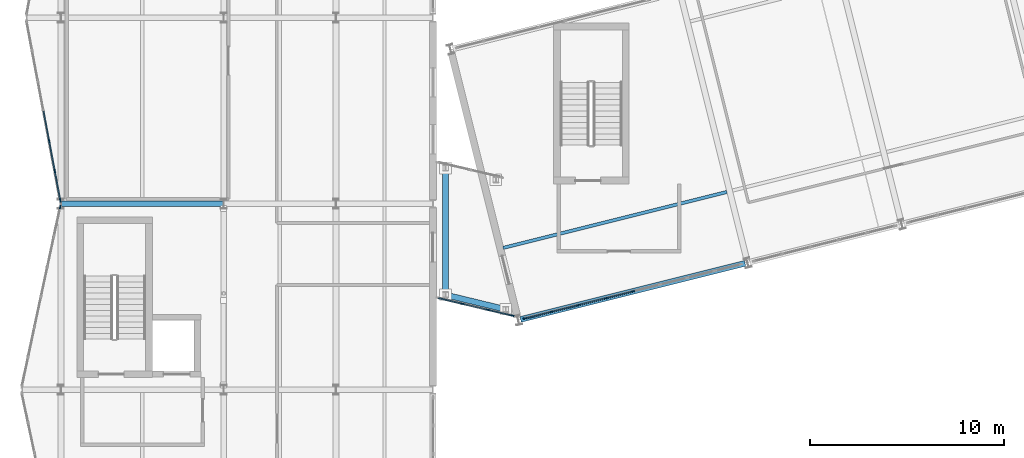
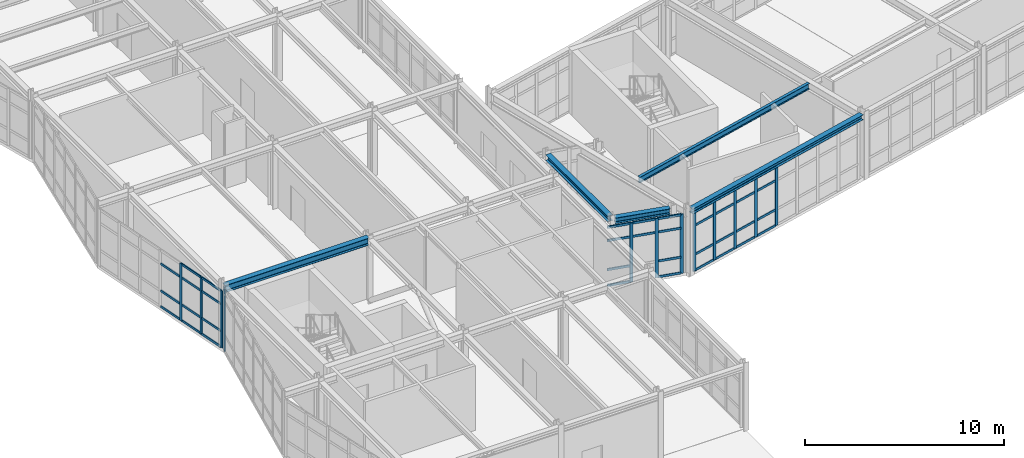
# One storey, part 16 of 88: 49 members, 5 beams, 4 elements without a shape of their own.
"""IFC4 building model written with IfcOpenShell, lengths in metres."""

from ifc_helpers import new_model, si_unit, direction, frame, origin, origin_2d, place, context, subcontext, project, spatial, rectangle, i_section, extrude, material, layer, layer_set, material_profile, profile_set, type_object, element, aggregate, save


model = new_model("IFC4")

# Units and contexts
model_context = context("Model", 3, precision=1e-05, world=origin(), true_north=direction((0.0, 1.0)))
body_context = subcontext(model_context, "Body", "Model", "MODEL_VIEW")
ifc_project = project(units=[si_unit("LENGTHUNIT", "METRE"), si_unit("AREAUNIT", "SQUARE_METRE"), si_unit("VOLUMEUNIT", "CUBIC_METRE"), si_unit("PLANEANGLEUNIT", "RADIAN"), si_unit("MASSUNIT", "GRAM", prefix="KILO")], contexts=[model_context])

# Site, building, storey
site_placement = place(None, origin())
site = spatial("IfcSite", under=ifc_project, at=site_placement, CompositionType="ELEMENT")
building_placement = place(site_placement, origin())
building = spatial("IfcBuilding", under=site, at=building_placement, Name="Nordkorset Police Headquarters", CompositionType="ELEMENT")
storey_placement = place(building_placement, frame((0.0, 0.0, 9.449951171875)))
storey = spatial("IfcBuildingStorey", under=building, at=storey_placement, Name="L02", CompositionType="ELEMENT", Elevation=9.449951171875)

# Beam
ifc_material_1 = material(Name="Steel S355J2", Category="steel")
ifc_material_profile_1 = material_profile(ifc_material_1, i_section(OverallWidth=0.169921875, OverallDepth=0.360107421875, WebThickness=0.008056640625, FlangeThickness=0.0126953125, FilletRadius=0.01806640625, at=origin_2d()), Name="IPE 360")
ifc_profile_set_1 = profile_set([ifc_material_profile_1], Name="Steel S355J2")
beam_type_1 = type_object("IfcBeamType", Name="Beam_IPE_360", PredefinedType="BEAM", material=ifc_profile_set_1)
beam_1_placement = place(storey_placement, frame((22.823974609375, 45.722900390625, 3.7900390625), z_axis=(0.970141293308, 0.242540452333, 0.0), x_axis=(-0.242540452333, 0.970141293308, 0.0)))
element("IfcBeam", 1, at=beam_1_placement, inside=storey, type_object=beam_type_1, Name="Splayed Wing Secondary Beam L02 0-1", PredefinedType="BEAM", context=body_context, shape_type="SweptSolid", body=[
    extrude(i_section(OverallWidth=0.169921875, OverallDepth=0.360107421875, WebThickness=0.008056640625, FlangeThickness=0.0126953125, FilletRadius=0.01806640625, at=origin_2d()), origin(), (0.0, 0.0, 1.0), 11.89990234375),
])

# Curtain wall, member
ifc_material_2 = material(Name="Aluminium alloy AW-6060", Category="aluminium")
ifc_layer_1 = layer(ifc_material_2, 0.179931640625, Name="Aluminium alloy AW-6060")
ifc_layer_set_1 = layer_set([ifc_layer_1], Name="Aluminium alloy AW-6060")
curtain_wall_type_1 = type_object("IfcCurtainWallType", Name="CW_Unit_954x392", PredefinedType="USERDEFINED", material=ifc_layer_set_1)
curtain_wall_1_placement = place(storey_placement, origin())
curtain_wall_1 = element("IfcCurtainWall", 2, at=curtain_wall_1_placement, inside=storey, type_object=curtain_wall_type_1, Name="Unitised Curtain Wall L02 V3W-1", ObjectType="UNITISED CURTAIN WALL", PredefinedType="USERDEFINED")
ifc_material_3 = material(Name="Aluminium alloy AW-6060", Category="aluminium")
ifc_material_profile_2 = material_profile(ifc_material_3, rectangle(XDim=0.06494140625, YDim=0.179931640625, at=origin_2d()), Name="ALU MULL 65x180")
ifc_profile_set_2 = profile_set([ifc_material_profile_2], Name="Aluminium alloy AW-6060")
member_type_1 = type_object("IfcMemberType", Name="CW_Mullion_65x180", PredefinedType="MULLION", material=ifc_profile_set_2)
member_1_placement = place(storey_placement, frame((-0.0361328125, 47.831298828125, 0.0), z_axis=(0.0, 0.0, 1.0), x_axis=(-0.977951416289, 0.208832534289, 0.0)))
member_1 = element("IfcMember", 3, at=member_1_placement, type_object=member_type_1, Name="CW-20 mullion 7", PredefinedType="MULLION", context=body_context, shape_type="SweptSolid", body=[
    extrude(rectangle(XDim=0.06494140625, YDim=0.179931640625, at=origin_2d()), origin(), (0.0, 0.0, 1.0), 3.920166015625),
])
aggregate(curtain_wall_1, [member_1])

# Curtain wall, members
ifc_material_4 = material(Name="Aluminium alloy AW-6060", Category="aluminium")
ifc_layer_2 = layer(ifc_material_4, 0.179931640625, Name="Aluminium alloy AW-6060")
ifc_layer_set_2 = layer_set([ifc_layer_2], Name="Aluminium alloy AW-6060")
curtain_wall_type_2 = type_object("IfcCurtainWallType", Name="CW_Unit_949x351", PredefinedType="USERDEFINED", material=ifc_layer_set_2)
curtain_wall_2_placement = place(storey_placement, origin())
curtain_wall_2 = element("IfcCurtainWall", 4, at=curtain_wall_2_placement, inside=storey, type_object=curtain_wall_type_2, Name="Unitised Curtain Wall L02 V3W-2", ObjectType="UNITISED CURTAIN WALL", PredefinedType="USERDEFINED")
member_2_placement = place(storey_placement, frame((-0.03173828125, 48.16943359375, 0.0), z_axis=(0.0, 0.0, 1.0), x_axis=(-0.982872186935, -0.184288535048, 0.0)))
member_2 = element("IfcMember", 5, at=member_2_placement, type_object=member_type_1, Name="CW-32 mullion 1", PredefinedType="MULLION", context=body_context, shape_type="SweptSolid", body=[
    extrude(rectangle(XDim=0.06494140625, YDim=0.179931640625, at=origin_2d()), origin(), (0.0, 0.0, 1.0), 3.510009765625),
])
member_3_placement = place(storey_placement, frame((-0.317138671875, 49.691650390625, 0.0), z_axis=(0.0, 0.0, 1.0), x_axis=(-0.982872186935, -0.184288535048, 0.0)))
member_3 = element("IfcMember", 6, at=member_3_placement, type_object=member_type_1, Name="CW-32 mullion 2", PredefinedType="MULLION", context=body_context, shape_type="SweptSolid", body=[
    extrude(rectangle(XDim=0.06494140625, YDim=0.179931640625, at=origin_2d()), origin(), (0.0, 0.0, 1.0), 3.510009765625),
])
member_4_placement = place(storey_placement, frame((-0.608642578125, 51.245849609375, 0.0), z_axis=(0.0, 0.0, 1.0), x_axis=(-0.982872186935, -0.184288535048, 0.0)))
member_4 = element("IfcMember", 7, at=member_4_placement, type_object=member_type_1, Name="CW-32 mullion 3", PredefinedType="MULLION", context=body_context, shape_type="SweptSolid", body=[
    extrude(rectangle(XDim=0.06494140625, YDim=0.179931640625, at=origin_2d()), origin(), (0.0, 0.0, 1.0), 3.510009765625),
])

ifc_material_5 = material(Name="Aluminium alloy AW-6060", Category="aluminium")
ifc_layer_3 = layer(ifc_material_5, 0.179931640625, Name="Aluminium alloy AW-6060")
ifc_layer_set_3 = layer_set([ifc_layer_3], Name="Aluminium alloy AW-6060")
curtain_wall_type_3 = type_object("IfcCurtainWallType", Name="CW_Unit_1156x364", PredefinedType="USERDEFINED", material=ifc_layer_set_3)
curtain_wall_3_placement = place(storey_placement, origin())
curtain_wall_3 = element("IfcCurtainWall", 8, at=curtain_wall_3_placement, inside=storey, type_object=curtain_wall_type_3, Name="Unitised Curtain Wall L02 V4S-0", ObjectType="UNITISED CURTAIN WALL", PredefinedType="USERDEFINED")
member_5_placement = place(storey_placement, frame((23.94189453125, 42.08544921875, 0.0), z_axis=(0.0, 0.0, 1.0), x_axis=(-0.242535625038, 0.970142500145, 0.0)))
member_5 = element("IfcMember", 9, at=member_5_placement, type_object=member_type_1, Name="CW-103 mullion 1", PredefinedType="MULLION", context=body_context, shape_type="SweptSolid", body=[
    extrude(rectangle(XDim=0.06494140625, YDim=0.179931640625, at=origin_2d()), origin(), (0.0, 0.0, 1.0), 3.64013671875),
])
member_6_placement = place(storey_placement, frame((25.312255859375, 42.427978515625, 0.0), z_axis=(0.0, 0.0, 1.0), x_axis=(-0.242535625038, 0.970142500145, 0.0)))
member_6 = element("IfcMember", 10, at=member_6_placement, type_object=member_type_1, Name="CW-103 mullion 2", PredefinedType="MULLION", context=body_context, shape_type="SweptSolid", body=[
    extrude(rectangle(XDim=0.06494140625, YDim=0.179931640625, at=origin_2d()), origin(), (0.0, 0.0, 1.0), 3.64013671875),
])
member_7_placement = place(storey_placement, frame((26.714111328125, 42.778564453125, 0.0), z_axis=(0.0, 0.0, 1.0), x_axis=(-0.242535625038, 0.970142500145, 0.0)))
member_7 = element("IfcMember", 11, at=member_7_placement, type_object=member_type_1, Name="CW-103 mullion 3", PredefinedType="MULLION", context=body_context, shape_type="SweptSolid", body=[
    extrude(rectangle(XDim=0.06494140625, YDim=0.179931640625, at=origin_2d()), origin(), (0.0, 0.0, 1.0), 3.64013671875),
])
member_8_placement = place(storey_placement, frame((28.115966796875, 43.12890625, 0.0), z_axis=(0.0, 0.0, 1.0), x_axis=(-0.242535625038, 0.970142500145, 0.0)))
member_8 = element("IfcMember", 12, at=member_8_placement, type_object=member_type_1, Name="CW-103 mullion 4", PredefinedType="MULLION", context=body_context, shape_type="SweptSolid", body=[
    extrude(rectangle(XDim=0.06494140625, YDim=0.179931640625, at=origin_2d()), origin(), (0.0, 0.0, 1.0), 3.64013671875),
])
member_9_placement = place(storey_placement, frame((29.517822265625, 43.4794921875, 0.0), z_axis=(0.0, 0.0, 1.0), x_axis=(-0.242535625038, 0.970142500145, 0.0)))
member_9 = element("IfcMember", 13, at=member_9_placement, type_object=member_type_1, Name="CW-103 mullion 5", PredefinedType="MULLION", context=body_context, shape_type="SweptSolid", body=[
    extrude(rectangle(XDim=0.06494140625, YDim=0.179931640625, at=origin_2d()), origin(), (0.0, 0.0, 1.0), 3.64013671875),
])

ifc_material_6 = material(Name="Aluminium alloy AW-6060", Category="aluminium")
ifc_layer_4 = layer(ifc_material_6, 0.179931640625, Name="Aluminium alloy AW-6060")
ifc_layer_set_4 = layer_set([ifc_layer_4], Name="Aluminium alloy AW-6060")
curtain_wall_type_4 = type_object("IfcCurtainWallType", Name="CW_Unit_401x364", PredefinedType="USERDEFINED", material=ifc_layer_set_4)
curtain_wall_4_placement = place(storey_placement, origin())
curtain_wall_4 = element("IfcCurtainWall", 14, at=curtain_wall_4_placement, inside=storey, type_object=curtain_wall_type_4, Name="Unitised Curtain Wall L02 BRGW-S", ObjectType="UNITISED CURTAIN WALL", PredefinedType="USERDEFINED")
member_10_placement = place(storey_placement, frame((20.72509765625, 42.83935546875, 0.0), z_axis=(0.0, 0.0, 1.0), x_axis=(0.231206329825, 0.972904739966, 0.0)))
member_10 = element("IfcMember", 15, at=member_10_placement, type_object=member_type_1, Name="CW-14 mullion 2", PredefinedType="MULLION", context=body_context, shape_type="SweptSolid", body=[
    extrude(rectangle(XDim=0.06494140625, YDim=0.179931640625, at=origin_2d()), origin(), (0.0, 0.0, 1.0), 3.635009765625),
])
member_11_placement = place(storey_placement, frame((22.02490234375, 42.530517578125, 0.0), z_axis=(0.0, 0.0, 1.0), x_axis=(0.231206329825, 0.972904739966, 0.0)))
member_11 = element("IfcMember", 16, at=member_11_placement, type_object=member_type_1, Name="CW-14 mullion 3", PredefinedType="MULLION", context=body_context, shape_type="SweptSolid", body=[
    extrude(rectangle(XDim=0.06494140625, YDim=0.179931640625, at=origin_2d()), origin(), (0.0, 0.0, 1.0), 3.635009765625),
])
member_12_placement = place(storey_placement, frame((23.293212890625, 42.229248046875, 0.0), z_axis=(0.0, 0.0, 1.0), x_axis=(0.231206329825, 0.972904739966, 0.0)))
member_12 = element("IfcMember", 17, at=member_12_placement, type_object=member_type_1, Name="CW-14 mullion 4", PredefinedType="MULLION", context=body_context, shape_type="SweptSolid", body=[
    extrude(rectangle(XDim=0.06494140625, YDim=0.179931640625, at=origin_2d()), origin(), (0.0, 0.0, 1.0), 3.635009765625),
])

# Member
ifc_material_7 = material(Name="Aluminium alloy AW-6060", Category="aluminium")
ifc_material_profile_3 = material_profile(ifc_material_7, rectangle(XDim=0.06494140625, YDim=0.139892578125, at=origin_2d()), Name="ALU TRAN 65x140")
ifc_profile_set_3 = profile_set([ifc_material_profile_3], Name="Aluminium alloy AW-6060")
member_type_2 = type_object("IfcMemberType", Name="CW_Transom_65x140", PredefinedType="USERDEFINED", material=ifc_profile_set_3)
member_13_placement = place(storey_placement, frame((-0.037841796875, 48.201416015625, 0.032470703125), z_axis=(-0.184298470268, 0.982870324029, 0.0), x_axis=(-0.982870324029, -0.184298470268, 0.0)))
member_13 = element("IfcMember", 18, at=member_13_placement, type_object=member_type_2, Name="CW-32 transom 1.1", ObjectType="TRANSOM", PredefinedType="USERDEFINED", context=body_context, shape_type="SweptSolid", body=[
    extrude(rectangle(XDim=0.06494140625, YDim=0.139892578125, at=origin_2d()), origin(), (0.0, 0.0, 1.0), 1.483642578125),
])

member_14_placement = place(storey_placement, frame((-0.037841796875, 48.201416015625, 1.0), z_axis=(-0.184298470268, 0.982870324029, 0.0), x_axis=(-0.982870324029, -0.184298470268, 0.0)))
member_14 = element("IfcMember", 19, at=member_14_placement, type_object=member_type_2, Name="CW-32 transom 1.2", ObjectType="TRANSOM", PredefinedType="USERDEFINED", context=body_context, shape_type="SweptSolid", body=[
    extrude(rectangle(XDim=0.06494140625, YDim=0.139892578125, at=origin_2d()), origin(), (0.0, 0.0, 1.0), 1.483642578125),
])

member_15_placement = place(storey_placement, frame((-0.037841796875, 48.201416015625, 2.66015625), z_axis=(-0.184298470268, 0.982870324029, 0.0), x_axis=(-0.982870324029, -0.184298470268, 0.0)))
member_15 = element("IfcMember", 20, at=member_15_placement, type_object=member_type_2, Name="CW-32 transom 1.3", ObjectType="TRANSOM", PredefinedType="USERDEFINED", context=body_context, shape_type="SweptSolid", body=[
    extrude(rectangle(XDim=0.06494140625, YDim=0.139892578125, at=origin_2d()), origin(), (0.0, 0.0, 1.0), 1.483642578125),
])

member_16_placement = place(storey_placement, frame((-0.037841796875, 48.201416015625, 3.4775390625), z_axis=(-0.184298470268, 0.982870324029, 0.0), x_axis=(-0.982870324029, -0.184298470268, 0.0)))
member_16 = element("IfcMember", 21, at=member_16_placement, type_object=member_type_2, Name="CW-32 transom 1.4", ObjectType="TRANSOM", PredefinedType="USERDEFINED", context=body_context, shape_type="SweptSolid", body=[
    extrude(rectangle(XDim=0.06494140625, YDim=0.139892578125, at=origin_2d()), origin(), (0.0, 0.0, 1.0), 1.483642578125),
])

member_17_placement = place(storey_placement, frame((-0.3232421875, 49.7236328125, 0.032470703125), z_axis=(-0.184210757138, 0.982886767107, 0.0), x_axis=(-0.982886767107, -0.184210757138, 0.0)))
member_17 = element("IfcMember", 22, at=member_17_placement, type_object=member_type_2, Name="CW-32 transom 2.1", ObjectType="TRANSOM", PredefinedType="USERDEFINED", context=body_context, shape_type="SweptSolid", body=[
    extrude(rectangle(XDim=0.06494140625, YDim=0.139892578125, at=origin_2d()), origin(), (0.0, 0.0, 1.0), 1.51611328125),
])

member_18_placement = place(storey_placement, frame((-0.3232421875, 49.7236328125, 1.0), z_axis=(-0.184210757138, 0.982886767107, 0.0), x_axis=(-0.982886767107, -0.184210757138, 0.0)))
member_18 = element("IfcMember", 23, at=member_18_placement, type_object=member_type_2, Name="CW-32 transom 2.2", ObjectType="TRANSOM", PredefinedType="USERDEFINED", context=body_context, shape_type="SweptSolid", body=[
    extrude(rectangle(XDim=0.06494140625, YDim=0.139892578125, at=origin_2d()), origin(), (0.0, 0.0, 1.0), 1.51611328125),
])

member_19_placement = place(storey_placement, frame((-0.3232421875, 49.7236328125, 2.66015625), z_axis=(-0.184210757138, 0.982886767107, 0.0), x_axis=(-0.982886767107, -0.184210757138, 0.0)))
member_19 = element("IfcMember", 24, at=member_19_placement, type_object=member_type_2, Name="CW-32 transom 2.3", ObjectType="TRANSOM", PredefinedType="USERDEFINED", context=body_context, shape_type="SweptSolid", body=[
    extrude(rectangle(XDim=0.06494140625, YDim=0.139892578125, at=origin_2d()), origin(), (0.0, 0.0, 1.0), 1.51611328125),
])

member_20_placement = place(storey_placement, frame((-0.3232421875, 49.7236328125, 3.4775390625), z_axis=(-0.184210757138, 0.982886767107, 0.0), x_axis=(-0.982886767107, -0.184210757138, 0.0)))
member_20 = element("IfcMember", 25, at=member_20_placement, type_object=member_type_2, Name="CW-32 transom 2.4", ObjectType="TRANSOM", PredefinedType="USERDEFINED", context=body_context, shape_type="SweptSolid", body=[
    extrude(rectangle(XDim=0.06494140625, YDim=0.139892578125, at=origin_2d()), origin(), (0.0, 0.0, 1.0), 1.51611328125),
])

member_21_placement = place(storey_placement, frame((-0.614501953125, 51.27783203125, 0.032470703125), z_axis=(-0.1843663095, 0.98285760104, 0.0), x_axis=(-0.98285760104, -0.1843663095, 0.0)))
member_21 = element("IfcMember", 26, at=member_21_placement, type_object=member_type_2, Name="CW-32 transom 3.1", ObjectType="TRANSOM", PredefinedType="USERDEFINED", context=body_context, shape_type="SweptSolid", body=[
    extrude(rectangle(XDim=0.06494140625, YDim=0.139892578125, at=origin_2d()), origin(), (0.0, 0.0, 1.0), 1.51611328125),
])

member_22_placement = place(storey_placement, frame((-0.614501953125, 51.27783203125, 1.0), z_axis=(-0.1843663095, 0.98285760104, 0.0), x_axis=(-0.98285760104, -0.1843663095, 0.0)))
member_22 = element("IfcMember", 27, at=member_22_placement, type_object=member_type_2, Name="CW-32 transom 3.2", ObjectType="TRANSOM", PredefinedType="USERDEFINED", context=body_context, shape_type="SweptSolid", body=[
    extrude(rectangle(XDim=0.06494140625, YDim=0.139892578125, at=origin_2d()), origin(), (0.0, 0.0, 1.0), 1.51611328125),
])

member_23_placement = place(storey_placement, frame((-0.614501953125, 51.27783203125, 2.66015625), z_axis=(-0.1843663095, 0.98285760104, 0.0), x_axis=(-0.98285760104, -0.1843663095, 0.0)))
member_23 = element("IfcMember", 28, at=member_23_placement, type_object=member_type_2, Name="CW-32 transom 3.3", ObjectType="TRANSOM", PredefinedType="USERDEFINED", context=body_context, shape_type="SweptSolid", body=[
    extrude(rectangle(XDim=0.06494140625, YDim=0.139892578125, at=origin_2d()), origin(), (0.0, 0.0, 1.0), 1.51611328125),
])

aggregate(curtain_wall_2, [member_2, member_3, member_4, member_13, member_14, member_15, member_16, member_17, member_18, member_19, member_20, member_21, member_22, member_23])

member_24_placement = place(storey_placement, frame((23.973388671875, 42.09326171875, 0.032470703125), z_axis=(0.970131842518, 0.242578251565, 0.0), x_axis=(-0.242578251565, 0.970131842518, 0.0)))
member_24 = element("IfcMember", 29, at=member_24_placement, type_object=member_type_2, Name="CW-103 transom 1.1", ObjectType="TRANSOM", PredefinedType="USERDEFINED", context=body_context, shape_type="SweptSolid", body=[
    extrude(rectangle(XDim=0.06494140625, YDim=0.139892578125, at=origin_2d()), origin(), (0.0, 0.0, 1.0), 1.34765625),
])

member_25_placement = place(storey_placement, frame((23.973388671875, 42.09326171875, 1.0), z_axis=(0.970131842518, 0.242578251565, 0.0), x_axis=(-0.242578251565, 0.970131842518, 0.0)))
member_25 = element("IfcMember", 30, at=member_25_placement, type_object=member_type_2, Name="CW-103 transom 1.2", ObjectType="TRANSOM", PredefinedType="USERDEFINED", context=body_context, shape_type="SweptSolid", body=[
    extrude(rectangle(XDim=0.06494140625, YDim=0.139892578125, at=origin_2d()), origin(), (0.0, 0.0, 1.0), 1.34765625),
])

member_26_placement = place(storey_placement, frame((23.973388671875, 42.09326171875, 2.7900390625), z_axis=(0.970131842518, 0.242578251565, 0.0), x_axis=(-0.242578251565, 0.970131842518, 0.0)))
member_26 = element("IfcMember", 31, at=member_26_placement, type_object=member_type_2, Name="CW-103 transom 1.3", ObjectType="TRANSOM", PredefinedType="USERDEFINED", context=body_context, shape_type="SweptSolid", body=[
    extrude(rectangle(XDim=0.06494140625, YDim=0.139892578125, at=origin_2d()), origin(), (0.0, 0.0, 1.0), 1.34765625),
])

member_27_placement = place(storey_placement, frame((23.973388671875, 42.09326171875, 3.607666015625), z_axis=(0.970131842518, 0.242578251565, 0.0), x_axis=(-0.242578251565, 0.970131842518, 0.0)))
member_27 = element("IfcMember", 32, at=member_27_placement, type_object=member_type_2, Name="CW-103 transom 1.4", ObjectType="TRANSOM", PredefinedType="USERDEFINED", context=body_context, shape_type="SweptSolid", body=[
    extrude(rectangle(XDim=0.06494140625, YDim=0.139892578125, at=origin_2d()), origin(), (0.0, 0.0, 1.0), 1.34765625),
])

member_28_placement = place(storey_placement, frame((25.34375, 42.43603515625, 0.032470703125), z_axis=(0.970142500145, 0.242535625036, 0.0), x_axis=(-0.242535625036, 0.970142500145, 0.0)))
member_28 = element("IfcMember", 33, at=member_28_placement, type_object=member_type_2, Name="CW-103 transom 2.1", ObjectType="TRANSOM", PredefinedType="USERDEFINED", context=body_context, shape_type="SweptSolid", body=[
    extrude(rectangle(XDim=0.06494140625, YDim=0.139892578125, at=origin_2d()), origin(), (0.0, 0.0, 1.0), 1.380126953125),
])

member_29_placement = place(storey_placement, frame((25.34375, 42.43603515625, 1.0), z_axis=(0.970142500145, 0.242535625036, 0.0), x_axis=(-0.242535625036, 0.970142500145, 0.0)))
member_29 = element("IfcMember", 34, at=member_29_placement, type_object=member_type_2, Name="CW-103 transom 2.2", ObjectType="TRANSOM", PredefinedType="USERDEFINED", context=body_context, shape_type="SweptSolid", body=[
    extrude(rectangle(XDim=0.06494140625, YDim=0.139892578125, at=origin_2d()), origin(), (0.0, 0.0, 1.0), 1.380126953125),
])

member_30_placement = place(storey_placement, frame((25.34375, 42.43603515625, 2.7900390625), z_axis=(0.970142500145, 0.242535625036, 0.0), x_axis=(-0.242535625036, 0.970142500145, 0.0)))
member_30 = element("IfcMember", 35, at=member_30_placement, type_object=member_type_2, Name="CW-103 transom 2.3", ObjectType="TRANSOM", PredefinedType="USERDEFINED", context=body_context, shape_type="SweptSolid", body=[
    extrude(rectangle(XDim=0.06494140625, YDim=0.139892578125, at=origin_2d()), origin(), (0.0, 0.0, 1.0), 1.380126953125),
])

member_31_placement = place(storey_placement, frame((25.34375, 42.43603515625, 3.607666015625), z_axis=(0.970142500145, 0.242535625036, 0.0), x_axis=(-0.242535625036, 0.970142500145, 0.0)))
member_31 = element("IfcMember", 36, at=member_31_placement, type_object=member_type_2, Name="CW-103 transom 2.4", ObjectType="TRANSOM", PredefinedType="USERDEFINED", context=body_context, shape_type="SweptSolid", body=[
    extrude(rectangle(XDim=0.06494140625, YDim=0.139892578125, at=origin_2d()), origin(), (0.0, 0.0, 1.0), 1.380126953125),
])

member_32_placement = place(storey_placement, frame((26.74560546875, 42.786376953125, 0.032470703125), z_axis=(0.970142500145, 0.242535625036, 0.0), x_axis=(-0.242535625036, 0.970142500145, 0.0)))
member_32 = element("IfcMember", 37, at=member_32_placement, type_object=member_type_2, Name="CW-103 transom 3.1", ObjectType="TRANSOM", PredefinedType="USERDEFINED", context=body_context, shape_type="SweptSolid", body=[
    extrude(rectangle(XDim=0.06494140625, YDim=0.139892578125, at=origin_2d()), origin(), (0.0, 0.0, 1.0), 1.380126953125),
])

member_33_placement = place(storey_placement, frame((26.74560546875, 42.786376953125, 1.0), z_axis=(0.970142500145, 0.242535625036, 0.0), x_axis=(-0.242535625036, 0.970142500145, 0.0)))
member_33 = element("IfcMember", 38, at=member_33_placement, type_object=member_type_2, Name="CW-103 transom 3.2", ObjectType="TRANSOM", PredefinedType="USERDEFINED", context=body_context, shape_type="SweptSolid", body=[
    extrude(rectangle(XDim=0.06494140625, YDim=0.139892578125, at=origin_2d()), origin(), (0.0, 0.0, 1.0), 1.380126953125),
])

member_34_placement = place(storey_placement, frame((26.74560546875, 42.786376953125, 2.7900390625), z_axis=(0.970142500145, 0.242535625036, 0.0), x_axis=(-0.242535625036, 0.970142500145, 0.0)))
member_34 = element("IfcMember", 39, at=member_34_placement, type_object=member_type_2, Name="CW-103 transom 3.3", ObjectType="TRANSOM", PredefinedType="USERDEFINED", context=body_context, shape_type="SweptSolid", body=[
    extrude(rectangle(XDim=0.06494140625, YDim=0.139892578125, at=origin_2d()), origin(), (0.0, 0.0, 1.0), 1.380126953125),
])

member_35_placement = place(storey_placement, frame((26.74560546875, 42.786376953125, 3.607666015625), z_axis=(0.970142500145, 0.242535625036, 0.0), x_axis=(-0.242535625036, 0.970142500145, 0.0)))
member_35 = element("IfcMember", 40, at=member_35_placement, type_object=member_type_2, Name="CW-103 transom 3.4", ObjectType="TRANSOM", PredefinedType="USERDEFINED", context=body_context, shape_type="SweptSolid", body=[
    extrude(rectangle(XDim=0.06494140625, YDim=0.139892578125, at=origin_2d()), origin(), (0.0, 0.0, 1.0), 1.380126953125),
])

member_36_placement = place(storey_placement, frame((28.1474609375, 43.136962890625, 0.032470703125), z_axis=(0.970142500145, 0.242535625036, 0.0), x_axis=(-0.242535625036, 0.970142500145, 0.0)))
member_36 = element("IfcMember", 41, at=member_36_placement, type_object=member_type_2, Name="CW-103 transom 4.1", ObjectType="TRANSOM", PredefinedType="USERDEFINED", context=body_context, shape_type="SweptSolid", body=[
    extrude(rectangle(XDim=0.06494140625, YDim=0.139892578125, at=origin_2d()), origin(), (0.0, 0.0, 1.0), 1.380126953125),
])

member_37_placement = place(storey_placement, frame((28.1474609375, 43.136962890625, 1.0), z_axis=(0.970142500145, 0.242535625036, 0.0), x_axis=(-0.242535625036, 0.970142500145, 0.0)))
member_37 = element("IfcMember", 42, at=member_37_placement, type_object=member_type_2, Name="CW-103 transom 4.2", ObjectType="TRANSOM", PredefinedType="USERDEFINED", context=body_context, shape_type="SweptSolid", body=[
    extrude(rectangle(XDim=0.06494140625, YDim=0.139892578125, at=origin_2d()), origin(), (0.0, 0.0, 1.0), 1.380126953125),
])

member_38_placement = place(storey_placement, frame((28.1474609375, 43.136962890625, 2.7900390625), z_axis=(0.970142500145, 0.242535625036, 0.0), x_axis=(-0.242535625036, 0.970142500145, 0.0)))
member_38 = element("IfcMember", 43, at=member_38_placement, type_object=member_type_2, Name="CW-103 transom 4.3", ObjectType="TRANSOM", PredefinedType="USERDEFINED", context=body_context, shape_type="SweptSolid", body=[
    extrude(rectangle(XDim=0.06494140625, YDim=0.139892578125, at=origin_2d()), origin(), (0.0, 0.0, 1.0), 1.380126953125),
])

member_39_placement = place(storey_placement, frame((28.1474609375, 43.136962890625, 3.607666015625), z_axis=(0.970142500145, 0.242535625036, 0.0), x_axis=(-0.242535625036, 0.970142500145, 0.0)))
member_39 = element("IfcMember", 44, at=member_39_placement, type_object=member_type_2, Name="CW-103 transom 4.4", ObjectType="TRANSOM", PredefinedType="USERDEFINED", context=body_context, shape_type="SweptSolid", body=[
    extrude(rectangle(XDim=0.06494140625, YDim=0.139892578125, at=origin_2d()), origin(), (0.0, 0.0, 1.0), 1.380126953125),
])

aggregate(curtain_wall_3, [member_5, member_6, member_7, member_8, member_9, member_24, member_25, member_26, member_27, member_28, member_29, member_30, member_31, member_32, member_33, member_34, member_35, member_36, member_37, member_38, member_39])

member_40_placement = place(storey_placement, frame((19.48828125, 43.13330078125, 0.032470703125), z_axis=(0.972905523066, -0.231203034554, 0.0), x_axis=(0.231203034554, 0.972905523066, 0.0)))
member_40 = element("IfcMember", 45, at=member_40_placement, type_object=member_type_2, Name="CW-14 transom 1.1", ObjectType="TRANSOM", PredefinedType="USERDEFINED", context=body_context, shape_type="SweptSolid", body=[
    extrude(rectangle(XDim=0.06494140625, YDim=0.139892578125, at=origin_2d()), origin(), (0.0, 0.0, 1.0), 1.238525390625),
])

member_41_placement = place(storey_placement, frame((19.48828125, 43.13330078125, 1.0), z_axis=(0.972905523066, -0.231203034554, 0.0), x_axis=(0.231203034554, 0.972905523066, 0.0)))
member_41 = element("IfcMember", 46, at=member_41_placement, type_object=member_type_2, Name="CW-14 transom 1.2", ObjectType="TRANSOM", PredefinedType="USERDEFINED", context=body_context, shape_type="SweptSolid", body=[
    extrude(rectangle(XDim=0.06494140625, YDim=0.139892578125, at=origin_2d()), origin(), (0.0, 0.0, 1.0), 1.238525390625),
])

member_42_placement = place(storey_placement, frame((19.48828125, 43.13330078125, 2.78515625), z_axis=(0.972905523066, -0.231203034554, 0.0), x_axis=(0.231203034554, 0.972905523066, 0.0)))
member_42 = element("IfcMember", 47, at=member_42_placement, type_object=member_type_2, Name="CW-14 transom 1.3", ObjectType="TRANSOM", PredefinedType="USERDEFINED", context=body_context, shape_type="SweptSolid", body=[
    extrude(rectangle(XDim=0.06494140625, YDim=0.139892578125, at=origin_2d()), origin(), (0.0, 0.0, 1.0), 1.238525390625),
])

member_43_placement = place(storey_placement, frame((19.48828125, 43.13330078125, 3.6025390625), z_axis=(0.972905523066, -0.231203034554, 0.0), x_axis=(0.231203034554, 0.972905523066, 0.0)))
member_43 = element("IfcMember", 48, at=member_43_placement, type_object=member_type_2, Name="CW-14 transom 1.4", ObjectType="TRANSOM", PredefinedType="USERDEFINED", context=body_context, shape_type="SweptSolid", body=[
    extrude(rectangle(XDim=0.06494140625, YDim=0.139892578125, at=origin_2d()), origin(), (0.0, 0.0, 1.0), 1.238525390625),
])

member_44_placement = place(storey_placement, frame((20.756591796875, 42.83203125, 2.78515625), z_axis=(0.972900919479, -0.231222405656, 0.0), x_axis=(0.231222405656, 0.972900919479, 0.0)))
member_44 = element("IfcMember", 49, at=member_44_placement, type_object=member_type_2, Name="CW-14 transom 2.3", ObjectType="TRANSOM", PredefinedType="USERDEFINED", context=body_context, shape_type="SweptSolid", body=[
    extrude(rectangle(XDim=0.06494140625, YDim=0.139892578125, at=origin_2d()), origin(), (0.0, 0.0, 1.0), 1.271240234375),
])

member_45_placement = place(storey_placement, frame((20.756591796875, 42.83203125, 3.6025390625), z_axis=(0.972900919479, -0.231222405656, 0.0), x_axis=(0.231222405656, 0.972900919479, 0.0)))
member_45 = element("IfcMember", 50, at=member_45_placement, type_object=member_type_2, Name="CW-14 transom 2.4", ObjectType="TRANSOM", PredefinedType="USERDEFINED", context=body_context, shape_type="SweptSolid", body=[
    extrude(rectangle(XDim=0.06494140625, YDim=0.139892578125, at=origin_2d()), origin(), (0.0, 0.0, 1.0), 1.271240234375),
])

member_46_placement = place(storey_placement, frame((22.056640625, 42.52294921875, 0.032470703125), z_axis=(0.972905523066, -0.231203034554, 0.0), x_axis=(0.231203034554, 0.972905523066, 0.0)))
member_46 = element("IfcMember", 51, at=member_46_placement, type_object=member_type_2, Name="CW-14 transom 3.1", ObjectType="TRANSOM", PredefinedType="USERDEFINED", context=body_context, shape_type="SweptSolid", body=[
    extrude(rectangle(XDim=0.06494140625, YDim=0.139892578125, at=origin_2d()), origin(), (0.0, 0.0, 1.0), 1.238525390625),
])

member_47_placement = place(storey_placement, frame((22.056640625, 42.52294921875, 1.0), z_axis=(0.972905523066, -0.231203034554, 0.0), x_axis=(0.231203034554, 0.972905523066, 0.0)))
member_47 = element("IfcMember", 52, at=member_47_placement, type_object=member_type_2, Name="CW-14 transom 3.2", ObjectType="TRANSOM", PredefinedType="USERDEFINED", context=body_context, shape_type="SweptSolid", body=[
    extrude(rectangle(XDim=0.06494140625, YDim=0.139892578125, at=origin_2d()), origin(), (0.0, 0.0, 1.0), 1.238525390625),
])

member_48_placement = place(storey_placement, frame((22.056640625, 42.52294921875, 2.78515625), z_axis=(0.972905523066, -0.231203034554, 0.0), x_axis=(0.231203034554, 0.972905523066, 0.0)))
member_48 = element("IfcMember", 53, at=member_48_placement, type_object=member_type_2, Name="CW-14 transom 3.3", ObjectType="TRANSOM", PredefinedType="USERDEFINED", context=body_context, shape_type="SweptSolid", body=[
    extrude(rectangle(XDim=0.06494140625, YDim=0.139892578125, at=origin_2d()), origin(), (0.0, 0.0, 1.0), 1.238525390625),
])

member_49_placement = place(storey_placement, frame((22.056640625, 42.52294921875, 3.6025390625), z_axis=(0.972905523066, -0.231203034554, 0.0), x_axis=(0.231203034554, 0.972905523066, 0.0)))
member_49 = element("IfcMember", 54, at=member_49_placement, type_object=member_type_2, Name="CW-14 transom 3.4", ObjectType="TRANSOM", PredefinedType="USERDEFINED", context=body_context, shape_type="SweptSolid", body=[
    extrude(rectangle(XDim=0.06494140625, YDim=0.139892578125, at=origin_2d()), origin(), (0.0, 0.0, 1.0), 1.238525390625),
])

aggregate(curtain_wall_4, [member_10, member_11, member_12, member_40, member_41, member_42, member_43, member_44, member_45, member_46, member_47, member_48, member_49])

# Beams
ifc_material_8 = material(Name="Steel S355J2", Category="steel")
ifc_material_profile_4 = material_profile(ifc_material_8, i_section(OverallWidth=0.300048828125, OverallDepth=0.35009765625, WebThickness=0.010009765625, FlangeThickness=0.017578125, FilletRadius=0.027099609375, at=origin_2d()), Name="HEA 360")
ifc_profile_set_4 = profile_set([ifc_material_profile_4], Name="Steel S355J2")
beam_type_2 = type_object("IfcBeamType", Name="Girder_HEA_360", PredefinedType="USERDEFINED", material=ifc_profile_set_4)
beam_2_placement = place(storey_placement, frame((19.995849609375, 43.2646484375, 3.830078125), z_axis=(0.971958462556, -0.235152603781, 0.0), x_axis=(0.235152603781, 0.971958462556, 0.0)))
element("IfcBeam", 55, at=beam_2_placement, inside=storey, type_object=beam_type_2, Name="Courtyard Link Bridge Girder BRG-W L02 0", ObjectType="GIRDER", PredefinedType="USERDEFINED", context=body_context, shape_type="SweptSolid", body=[
    extrude(i_section(OverallWidth=0.300048828125, OverallDepth=0.35009765625, WebThickness=0.010009765625, FlangeThickness=0.017578125, FilletRadius=0.027099609375, at=origin_2d()), origin(), (0.0, 0.0, 1.0), 2.889404296875),
])
beam_3_placement = place(storey_placement, frame((19.85009765625, 43.449951171875, 3.830078125), z_axis=(0.0, 1.0, 0.0), x_axis=(-1.0, 0.0, 0.0)))
element("IfcBeam", 56, at=beam_3_placement, inside=storey, type_object=beam_type_2, Name="Courtyard Link Bridge Transverse Beam BRG-W L02 0", ObjectType="GIRDER", PredefinedType="USERDEFINED", context=body_context, shape_type="SweptSolid", body=[
    extrude(i_section(OverallWidth=0.300048828125, OverallDepth=0.35009765625, WebThickness=0.010009765625, FlangeThickness=0.017578125, FilletRadius=0.027099609375, at=origin_2d()), origin(), (0.0, 0.0, 1.0), 6.25),
])
ifc_material_9 = material(Name="Steel S355J2", Category="steel")
ifc_material_profile_5 = material_profile(ifc_material_9, i_section(OverallWidth=0.300048828125, OverallDepth=0.43994140625, WebThickness=0.011474609375, FlangeThickness=0.02099609375, FilletRadius=0.027099609375, at=origin_2d()), Name="HEA 450")
ifc_profile_set_5 = profile_set([ifc_material_profile_5], Name="Steel S355J2")
beam_type_3 = type_object("IfcBeamType", Name="Girder_HEA_450", PredefinedType="USERDEFINED", material=ifc_profile_set_5)
beam_4_placement = place(storey_placement, frame((0.00732421875, 48.0, 3.75), z_axis=(1.0, 0.0, 0.0), x_axis=(0.0, 1.0, 0.0)))
element("IfcBeam", 57, at=beam_4_placement, inside=storey, type_object=beam_type_3, Name="Girder V3 L02 GX-2-0", ObjectType="GIRDER", PredefinedType="USERDEFINED", context=body_context, shape_type="SweptSolid", body=[
    extrude(i_section(OverallWidth=0.300048828125, OverallDepth=0.43994140625, WebThickness=0.011474609375, FlangeThickness=0.02099609375, FilletRadius=0.027099609375, at=origin_2d()), origin(), (0.0, 0.0, 1.0), 8.38525390625),
])
ifc_material_10 = material(Name="Steel S355J2", Category="steel")
ifc_material_profile_6 = material_profile(ifc_material_10, i_section(OverallWidth=0.300048828125, OverallDepth=0.31005859375, WebThickness=0.009033203125, FlangeThickness=0.015380859375, FilletRadius=0.027099609375, at=origin_2d()), Name="HEA 320")
ifc_profile_set_6 = profile_set([ifc_material_profile_6], Name="Steel S355J2")
beam_type_4 = type_object("IfcBeamType", Name="Spandrel_HEA_320", PredefinedType="SPANDREL", material=ifc_profile_set_6)
beam_5_placement = place(storey_placement, frame((23.72607421875, 42.031494140625, 3.81494140625), z_axis=(0.970140094539, 0.242545247258, 0.0), x_axis=(-0.242545247258, 0.970140094539, 0.0)))
element("IfcBeam", 58, at=beam_5_placement, inside=storey, type_object=beam_type_4, Name="Splayed Wing Spandrel L02 0-0", PredefinedType="SPANDREL", context=body_context, shape_type="SweptSolid", body=[
    extrude(i_section(OverallWidth=0.300048828125, OverallDepth=0.31005859375, WebThickness=0.009033203125, FlangeThickness=0.015380859375, FilletRadius=0.027099609375, at=origin_2d()), origin(), (0.0, 0.0, 1.0), 11.93994140625),
])

save(model, "model.ifc")
